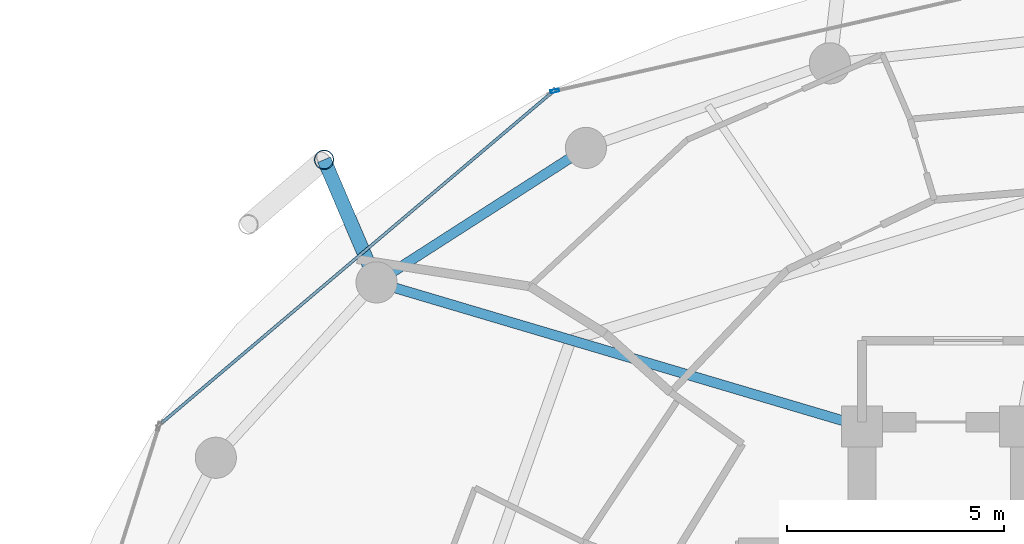
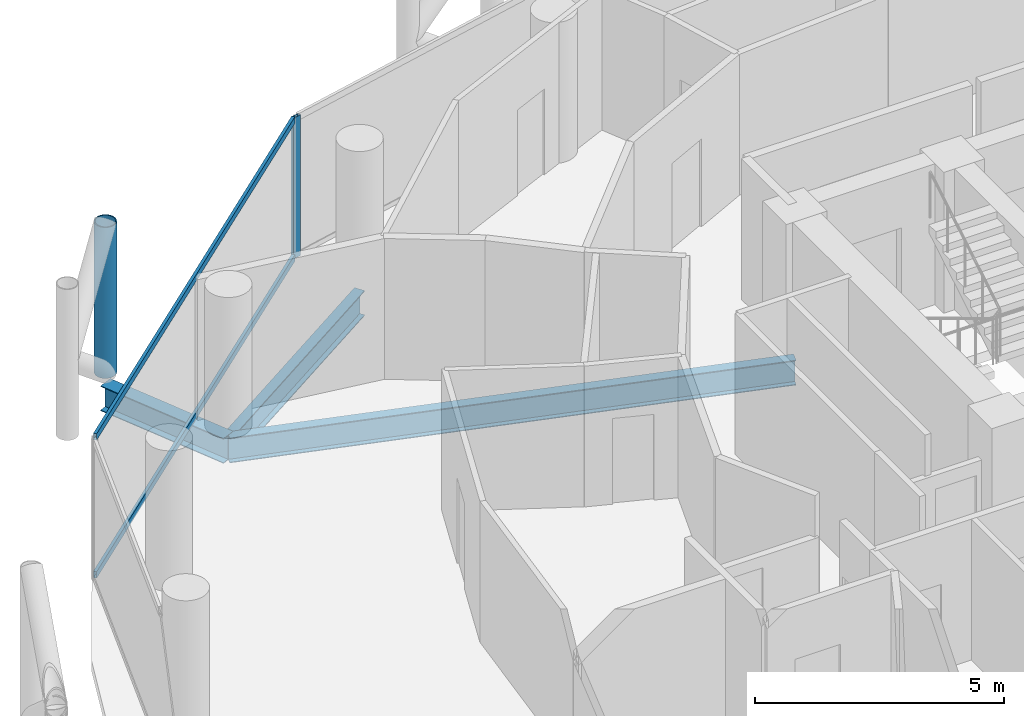
# One storey, part 14 of 26: 4 members, 3 beams, 2 elements without a shape of their own.
"""IFC4 building model written with IfcOpenShell, lengths in metres."""

from ifc_helpers import new_model, si_unit, direction, frame, origin, origin_2d, place, context, subcontext, project, spatial, hollow_rectangle, hollow_circle, i_section, extrude, material, layer, layer_set, material_profile, profile_set, type_object, element, aggregate, save


model = new_model("IFC4")

# Units and contexts
model_context = context("Model", 3, precision=1e-05, world=origin(), true_north=direction((0.0, 1.0)))
body_context = subcontext(model_context, "Body", "Model", "MODEL_VIEW")
ifc_project = project(units=[si_unit("LENGTHUNIT", "METRE"), si_unit("AREAUNIT", "SQUARE_METRE"), si_unit("VOLUMEUNIT", "CUBIC_METRE"), si_unit("PLANEANGLEUNIT", "RADIAN"), si_unit("MASSUNIT", "GRAM", prefix="KILO")], contexts=[model_context])

# Site, building, storey
site_placement = place(None, origin())
site = spatial("IfcSite", under=ifc_project, at=site_placement, CompositionType="ELEMENT")
building_placement = place(site_placement, origin())
building = spatial("IfcBuilding", under=site, at=building_placement, Name="Nuhasar Tower", CompositionType="ELEMENT")
storey_placement = place(building_placement, frame((0.0, 0.0, 144.14990234375)))
storey = spatial("IfcBuildingStorey", under=building, at=storey_placement, Name="L34", CompositionType="ELEMENT", Elevation=144.14990234375)

# Beams
ifc_material_1 = material(Name="Steel S355", Category="steel")
ifc_material_profile_1 = material_profile(ifc_material_1, i_section(OverallWidth=0.22900390625, OverallDepth=0.612060546875, WebThickness=0.011962890625, FlangeThickness=0.01953125, at=origin_2d()), Name="W24X84")
ifc_profile_set_1 = profile_set([ifc_material_profile_1], Name="Steel S355")
beam_type_1 = type_object("IfcBeamType", Name="BM-RAD-W24X84", PredefinedType="BEAM", material=ifc_profile_set_1)
beam_1_placement = place(storey_placement, frame((33.699951171875, 37.300048828125, -0.555908203125), z_axis=(-0.958746492721, 0.284262489076, 0.0), x_axis=(-0.284262489076, -0.958746492721, 0.0)))
element("IfcBeam", 1, at=beam_1_placement, inside=storey, type_object=beam_type_1, Name="L34 Radial Floor Girder 07", PredefinedType="BEAM", context=body_context, shape_type="SweptSolid", body=[
    extrude(i_section(OverallWidth=0.22900390625, OverallDepth=0.612060546875, WebThickness=0.011962890625, FlangeThickness=0.01953125, at=origin_2d()), origin(), (0.0, 0.0, 1.0), 11.693359375),
])
ifc_material_profile_2 = material_profile(ifc_material_1, i_section(OverallWidth=0.22998046875, OverallDepth=0.616943359375, WebThickness=0.01318359375, FlangeThickness=0.022216796875, at=origin_2d()), Name="W24X94")
ifc_profile_set_2 = profile_set([ifc_material_profile_2], Name="Steel S355")
beam_type_2 = type_object("IfcBeamType", Name="BM-RING-W24X94", PredefinedType="SPANDREL", material=ifc_profile_set_2)
beam_2_placement = place(storey_placement, frame((27.324951171875, 43.73095703125, -0.558837890625), z_axis=(-0.841327486207, -0.540525726448, 0.0), x_axis=(0.540525726448, -0.841327486207, 0.0)))
element("IfcBeam", 2, at=beam_2_placement, inside=storey, type_object=beam_type_2, Name="L34 Perimeter Ring Spandrel 09", PredefinedType="SPANDREL", context=body_context, shape_type="SweptSolid", body=[
    extrude(i_section(OverallWidth=0.22998046875, OverallDepth=0.616943359375, WebThickness=0.01318359375, FlangeThickness=0.022216796875, at=origin_2d()), origin(), (0.0, 0.0, 1.0), 5.748046875),
])
ifc_material_profile_3 = material_profile(ifc_material_1, i_section(OverallWidth=0.323974609375, OverallDepth=0.611083984375, WebThickness=0.0126953125, FlangeThickness=0.01904296875, at=origin_2d()), Name="W24X104")
ifc_profile_set_3 = profile_set([ifc_material_profile_3], Name="Steel S355")
beam_type_3 = type_object("IfcBeamType", Name="BM-TIE-W24X104", PredefinedType="BEAM", material=ifc_profile_set_3)
beam_3_placement = place(storey_placement, frame((22.489013671875, 40.6240234375, -0.554931640625), z_axis=(-0.39330721304, 0.919407111225, 0.0), x_axis=(-0.919407111225, -0.39330721304, 0.0)))
element("IfcBeam", 3, at=beam_3_placement, inside=storey, type_object=beam_type_3, Name="L34 Exoskeleton Node Tie Beam 05", PredefinedType="BEAM", context=body_context, shape_type="SweptSolid", body=[
    extrude(i_section(OverallWidth=0.323974609375, OverallDepth=0.611083984375, WebThickness=0.0126953125, FlangeThickness=0.01904296875, at=origin_2d()), origin(), (0.0, 0.0, 1.0), 3.081298828125),
])

# Curtain wall, member
ifc_material_2 = material(Name="Aluminium 6063-T6", Category="aluminium")
ifc_layer = layer(ifc_material_2, 0.199951171875)
ifc_layer_set = layer_set([ifc_layer], Name="Aluminium 6063-T6")
curtain_wall_type = type_object("IfcCurtainWallType", Name="CW-Z2-HTL", PredefinedType="NOTDEFINED", material=ifc_layer_set)
curtain_wall_1_placement = place(storey_placement, origin())
curtain_wall_1 = element("IfcCurtainWall", 4, at=curtain_wall_1_placement, inside=storey, type_object=curtain_wall_type, Name="L34 Unitised Curtain Wall 04", PredefinedType="NOTDEFINED")
ifc_material_profile_4 = material_profile(ifc_material_2, hollow_rectangle(XDim=0.070068359375, YDim=0.199951171875, WallThickness=0.0048828125, at=origin_2d()), Name="CWM-3")
ifc_profile_set_4 = profile_set([ifc_material_profile_4], Name="Aluminium 6063-T6")
member_type_1 = type_object("IfcMemberType", Name="CW-MUL-S3", PredefinedType="MULLION", material=ifc_profile_set_4)
member_1_placement = place(storey_placement, frame((26.604248046875, 45.045654296875, 0.0), z_axis=(0.0, 0.0, 1.0), x_axis=(0.22139729566, -0.975183694221, 0.0)))
member_1 = element("IfcMember", 5, at=member_1_placement, type_object=member_type_1, Name="CW-Z2 mullion 2", PredefinedType="MULLION", context=body_context, shape_type="SweptSolid", body=[
    extrude(hollow_rectangle(XDim=0.070068359375, YDim=0.199951171875, WallThickness=0.0048828125, at=origin_2d()), origin(), (0.0, 0.0, 1.0), 3.4501953125),
])
aggregate(curtain_wall_1, [member_1])

# Curtain wall, members
curtain_wall_2_placement = place(storey_placement, origin())
curtain_wall_2 = element("IfcCurtainWall", 6, at=curtain_wall_2_placement, inside=storey, type_object=curtain_wall_type, Name="L34 Unitised Curtain Wall 05", PredefinedType="NOTDEFINED")
ifc_material_profile_5 = material_profile(ifc_material_2, hollow_rectangle(XDim=0.070068359375, YDim=0.159912109375, WallThickness=0.00439453125, at=origin_2d()), Name="CWT-3")
ifc_profile_set_5 = profile_set([ifc_material_profile_5], Name="Aluminium 6063-T6")
member_type_2 = type_object("IfcMemberType", Name="CW-TRN-S3", PredefinedType="USERDEFINED", material=ifc_profile_set_5)
member_2_placement = place(storey_placement, frame((26.5166015625, 44.99267578125, 0.03515625), z_axis=(-0.763023915269, -0.646370253592, 0.0), x_axis=(0.646370253592, -0.763023915269, 0.0)))
member_2 = element("IfcMember", 7, at=member_2_placement, type_object=member_type_2, Name="CW-Z2 transom 1.1", ObjectType="TRANSOM", PredefinedType="USERDEFINED", context=body_context, shape_type="SweptSolid", body=[
    extrude(hollow_rectangle(XDim=0.070068359375, YDim=0.159912109375, WallThickness=0.00439453125, at=origin_2d()), origin(), (0.0, 0.0, 1.0), 11.784912109375),
])
member_3_placement = place(storey_placement, frame((26.5166015625, 44.99267578125, 3.4150390625), z_axis=(-0.763023915269, -0.646370253592, 0.0), x_axis=(0.646370253592, -0.763023915269, 0.0)))
member_3 = element("IfcMember", 8, at=member_3_placement, type_object=member_type_2, Name="CW-Z2 transom 1.2", ObjectType="TRANSOM", PredefinedType="USERDEFINED", context=body_context, shape_type="SweptSolid", body=[
    extrude(hollow_rectangle(XDim=0.070068359375, YDim=0.159912109375, WallThickness=0.00439453125, at=origin_2d()), origin(), (0.0, 0.0, 1.0), 11.784912109375),
])
aggregate(curtain_wall_2, [member_2, member_3])

# Member
ifc_material_3 = material(Name="Steel S460", Category="steel")
ifc_material_profile_6 = material_profile(ifc_material_3, hollow_circle(Radius=0.228515625, WallThickness=0.022216796875, at=origin_2d()), Name="HSS457X22.2")
ifc_profile_set_6 = profile_set([ifc_material_profile_6], Name="Steel S460")
member_type_3 = type_object("IfcMemberType", Name="EXO-BRONZE-457", PredefinedType="BRACE", material=ifc_profile_set_6)
member_4_placement = place(storey_placement, frame((21.277099609375, 43.45703125, 0.0), z_axis=(0.0, 0.0, 1.0), x_axis=(1.0, 0.0, 0.0)))
element("IfcMember", 9, at=member_4_placement, inside=storey, type_object=member_type_3, Name="L34 Exoskeleton Chord Column EC-05A", PredefinedType="BRACE", context=body_context, shape_type="SweptSolid", body=[
    extrude(hollow_circle(Radius=0.228515625, WallThickness=0.022216796875, at=origin_2d()), origin(), (0.0, 0.0, 1.0), 3.7001953125),
])

save(model, "model.ifc")
